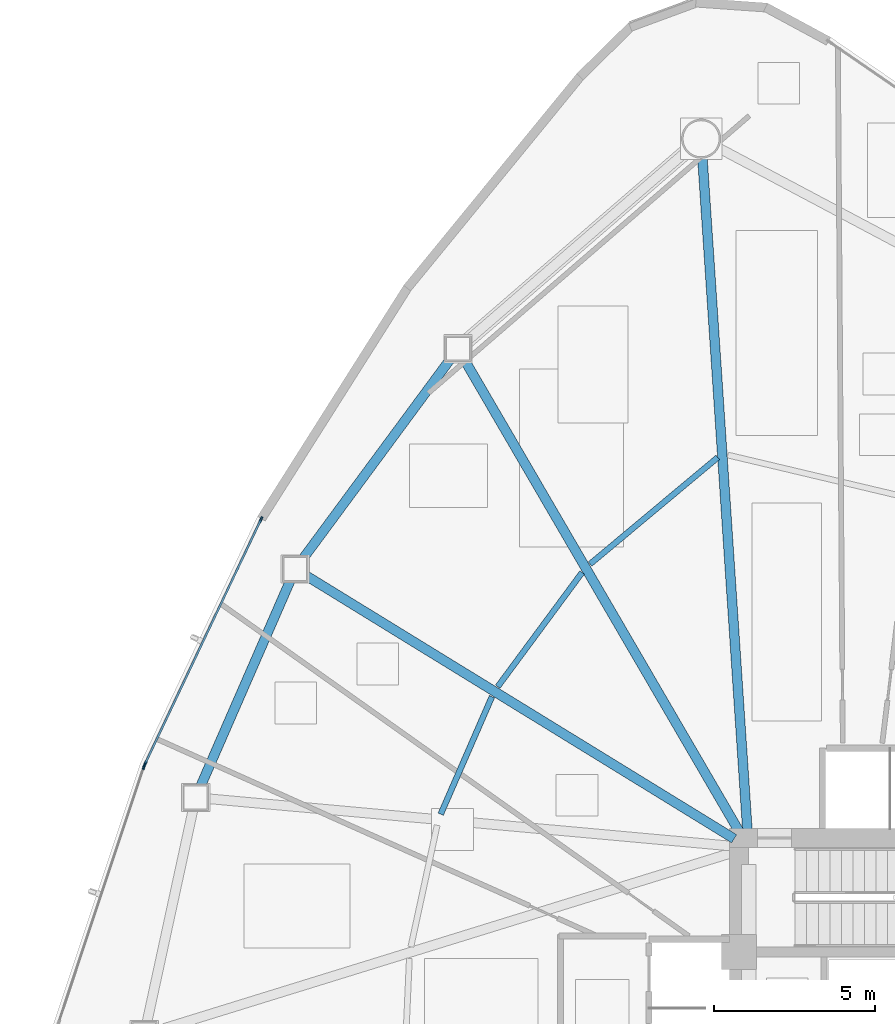
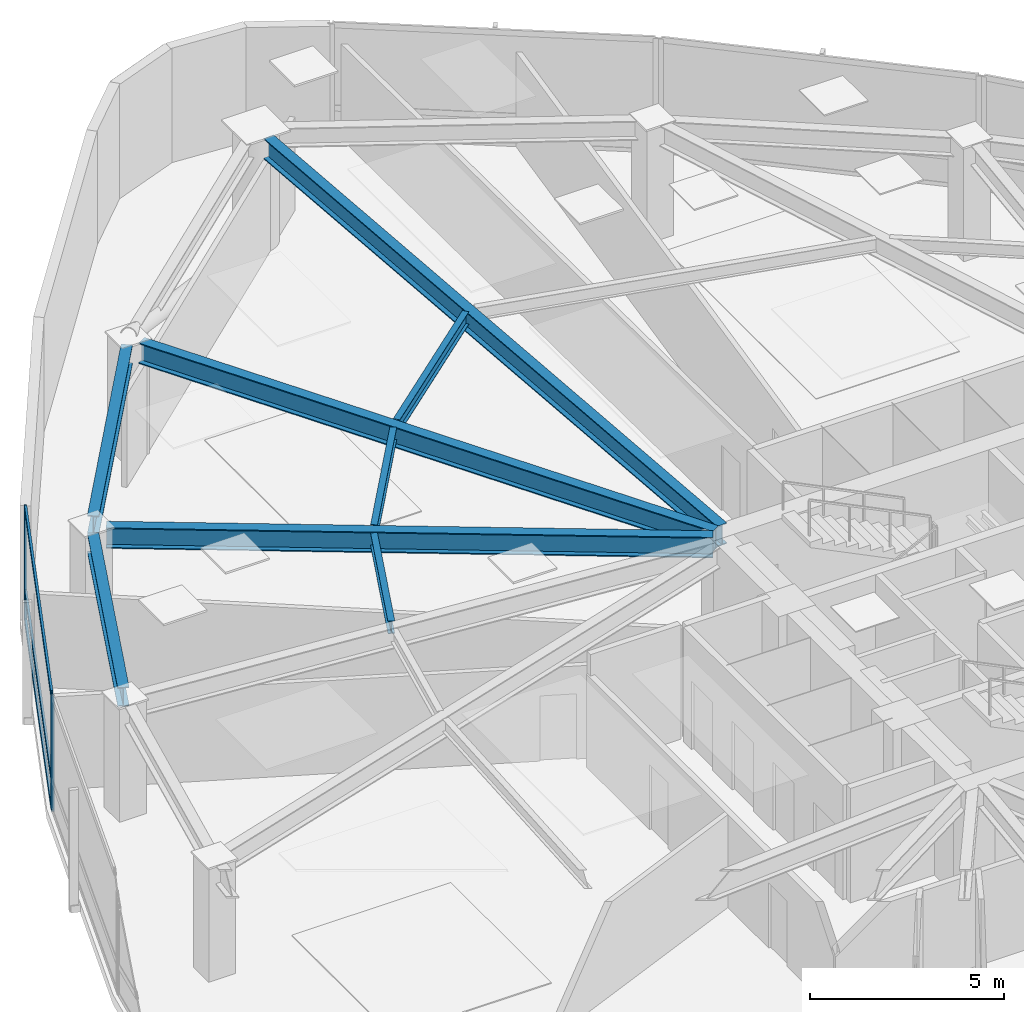
# One storey, part 8 of 18: 8 beams, 6 members, 2 elements without a shape of their own.
"""IFC4 building model written with IfcOpenShell, lengths in metres."""

from ifc_helpers import new_model, si_unit, direction, frame, origin, origin_2d, place, context, subcontext, project, spatial, hollow_rectangle, i_section, extrude, source, transform, mapped, material, layer, layer_set, material_profile, profile_set, type_object, type_shapes, element, aggregate, save


model = new_model("IFC4")

# Units and contexts
model_context = context("Model", 3, precision=1e-05, world=origin(), true_north=direction((0.0, 1.0)))
body_context = subcontext(model_context, "Body", "Model", "MODEL_VIEW")
ifc_project = project(units=[si_unit("LENGTHUNIT", "METRE"), si_unit("AREAUNIT", "SQUARE_METRE"), si_unit("VOLUMEUNIT", "CUBIC_METRE"), si_unit("PLANEANGLEUNIT", "RADIAN"), si_unit("MASSUNIT", "GRAM", prefix="KILO")], contexts=[model_context])

# Site, building, storey
site_placement = place(None, origin())
site = spatial("IfcSite", under=ifc_project, at=site_placement, CompositionType="ELEMENT")
building_placement = place(site_placement, origin())
building = spatial("IfcBuilding", under=site, at=building_placement, Name="Tavelor Broadcast Tower", CompositionType="ELEMENT")
storey_placement = place(building_placement, frame((0.0, 0.0, 58.800048828125)))
storey = spatial("IfcBuildingStorey", under=building, at=storey_placement, Name="L13", CompositionType="ELEMENT", Elevation=58.800048828125)

# Beams
ifc_material_1 = material(Name="Steel S355", Category="steel")
ifc_material_profile_1 = material_profile(ifc_material_1, i_section(OverallWidth=0.179931640625, OverallDepth=0.39990234375, WebThickness=0.008544921875, FlangeThickness=0.013427734375, at=origin_2d()), Name="IPE 400")
ifc_profile_set_1 = profile_set([ifc_material_profile_1], Name="Steel S355")
beam_type_1 = type_object("IfcBeamType", Name="Composite Floor Joist T1 IPE 400", PredefinedType="JOIST", material=ifc_profile_set_1)
beam_1_placement = place(storey_placement, frame((42.4404296875, 63.345947265625, 3.39990234375), z_axis=(-0.767560074089, -0.640977014146, 0.0), x_axis=(0.640977014146, -0.767560074089, 0.0)))
element("IfcBeam", 1, at=beam_1_placement, inside=storey, type_object=beam_type_1, Name="L13 Secondary Composite Floor Joist 01", PredefinedType="JOIST", context=body_context, shape_type="SweptSolid", body=[
    extrude(i_section(OverallWidth=0.179931640625, OverallDepth=0.39990234375, WebThickness=0.008544921875, FlangeThickness=0.013427734375, at=origin_2d()), origin(), (0.0, 0.0, 1.0), 5.178466796875),
])
beam_2_placement = place(storey_placement, frame((38.218994140625, 59.764892578125, 3.39990234375), z_axis=(-0.594310286319, -0.804235838281, 0.0), x_axis=(0.804235838281, -0.594310286319, 0.0)))
element("IfcBeam", 2, at=beam_2_placement, inside=storey, type_object=beam_type_1, Name="L13 Secondary Composite Floor Joist 02", PredefinedType="JOIST", context=body_context, shape_type="SweptSolid", body=[
    extrude(i_section(OverallWidth=0.179931640625, OverallDepth=0.39990234375, WebThickness=0.008544921875, FlangeThickness=0.013427734375, at=origin_2d()), origin(), (0.0, 0.0, 1.0), 4.41943359375),
])
beam_3_placement = place(storey_placement, frame((35.41259765625, 55.899169921875, 3.39990234375), z_axis=(-0.399676346619, -0.916656324886, 0.0), x_axis=(0.916656324886, -0.399676346619, 0.0)))
element("IfcBeam", 3, at=beam_3_placement, inside=storey, type_object=beam_type_1, Name="L13 Secondary Composite Floor Joist 03", PredefinedType="JOIST", context=body_context, shape_type="SweptSolid", body=[
    extrude(i_section(OverallWidth=0.179931640625, OverallDepth=0.39990234375, WebThickness=0.008544921875, FlangeThickness=0.013427734375, at=origin_2d()), origin(), (0.0, 0.0, 1.0), 3.991943359375),
])
ifc_material_profile_2 = material_profile(ifc_material_1, i_section(OverallWidth=0.300048828125, OverallDepth=0.60009765625, WebThickness=0.015380859375, FlangeThickness=0.030029296875, at=origin_2d()), Name="HEB 600")
ifc_profile_set_2 = profile_set([ifc_material_profile_2], Name="Steel S355")
beam_type_2 = type_object("IfcBeamType", Name="Perimeter Spandrel Beam T1 HEB 600", PredefinedType="SPANDREL", material=ifc_profile_set_2)
beam_4_placement = place(storey_placement, frame((34.1279296875, 66.4189453125, 3.300048828125), z_axis=(-0.59410601814, -0.804386747286, 0.0), x_axis=(0.804386747286, -0.59410601814, 0.0)))
element("IfcBeam", 4, at=beam_4_placement, inside=storey, type_object=beam_type_2, Name="L13 Framed-Tube Ring Spandrel 02", PredefinedType="SPANDREL", context=body_context, shape_type="SweptSolid", body=[
    extrude(i_section(OverallWidth=0.300048828125, OverallDepth=0.60009765625, WebThickness=0.015380859375, FlangeThickness=0.030029296875, at=origin_2d()), origin(), (0.0, 0.0, 1.0), 7.755615234375),
])
beam_5_placement = place(storey_placement, frame((29.138671875, 59.51953125, 3.300048828125), z_axis=(-0.399831402863, -0.916588702355, 0.0), x_axis=(0.916588702355, -0.399831402863, 0.0)))
element("IfcBeam", 5, at=beam_5_placement, inside=storey, type_object=beam_type_2, Name="L13 Framed-Tube Ring Spandrel 03", PredefinedType="SPANDREL", context=body_context, shape_type="SweptSolid", body=[
    extrude(i_section(OverallWidth=0.300048828125, OverallDepth=0.60009765625, WebThickness=0.015380859375, FlangeThickness=0.030029296875, at=origin_2d()), origin(), (0.0, 0.0, 1.0), 6.99267578125),
])
ifc_material_profile_3 = material_profile(ifc_material_1, i_section(OverallWidth=0.300048828125, OverallDepth=0.64990234375, WebThickness=0.01611328125, FlangeThickness=0.031005859375, at=origin_2d()), Name="HEB 650")
ifc_profile_set_3 = profile_set([ifc_material_profile_3], Name="Steel S355")
beam_type_3 = type_object("IfcBeamType", Name="Radial Floor Girder T1 HEB 650", PredefinedType="BEAM", material=ifc_profile_set_3)
beam_6_placement = place(storey_placement, frame((43.36474609375, 51.726806640625, 3.27490234375), z_axis=(-0.066781325407, 0.997767635563, 0.0), x_axis=(-0.997767635563, -0.066781325407, 0.0)))
element("IfcBeam", 6, at=beam_6_placement, inside=storey, type_object=beam_type_3, Name="L13 Radial Primary Floor Girder 01", PredefinedType="BEAM", context=body_context, shape_type="SweptSolid", body=[
    extrude(i_section(OverallWidth=0.300048828125, OverallDepth=0.64990234375, WebThickness=0.01611328125, FlangeThickness=0.031005859375, at=origin_2d()), origin(), (0.0, 0.0, 1.0), 21.002685546875),
])
beam_7_placement = place(storey_placement, frame((43.13427734375, 51.65625, 3.27490234375), z_axis=(-0.503292471027, 0.864116131436, 0.0), x_axis=(-0.864116131436, -0.503292471027, 0.0)))
element("IfcBeam", 7, at=beam_7_placement, inside=storey, type_object=beam_type_3, Name="L13 Radial Primary Floor Girder 02", PredefinedType="BEAM", context=body_context, shape_type="SweptSolid", body=[
    extrude(i_section(OverallWidth=0.300048828125, OverallDepth=0.64990234375, WebThickness=0.01611328125, FlangeThickness=0.031005859375, at=origin_2d()), origin(), (0.0, 0.0, 1.0), 17.0576171875),
])
beam_8_placement = place(storey_placement, frame((42.9501953125, 51.4765625, 3.27490234375), z_axis=(-0.851935691671, 0.523646423894, 0.0), x_axis=(-0.523646423894, -0.851935691671, 0.0)))
element("IfcBeam", 8, at=beam_8_placement, inside=storey, type_object=beam_type_3, Name="L13 Radial Primary Floor Girder 03", PredefinedType="BEAM", context=body_context, shape_type="SweptSolid", body=[
    extrude(i_section(OverallWidth=0.300048828125, OverallDepth=0.64990234375, WebThickness=0.01611328125, FlangeThickness=0.031005859375, at=origin_2d()), origin(), (0.0, 0.0, 1.0), 15.647705078125),
])

# Curtain wall, members
ifc_material_2 = material(Name="Architectural Anodized Aluminium", Category="aluminium")
ifc_layer = layer(ifc_material_2, 0.179931640625)
ifc_layer_set = layer_set([ifc_layer], Name="Architectural Anodized Aluminium")
curtain_wall_type = type_object("IfcCurtainWallType", Name="Tower Low-Zone Unitised Curtain Wall CW02", PredefinedType="NOTDEFINED", material=ifc_layer_set)
curtain_wall_1_placement = place(storey_placement, origin())
curtain_wall_1 = element("IfcCurtainWall", 9, at=curtain_wall_1_placement, inside=storey, type_object=curtain_wall_type, Name="L13 Curtain Wall CW02 Run 109", PredefinedType="NOTDEFINED")
ifc_material_profile_4 = material_profile(ifc_material_2, hollow_rectangle(XDim=0.06494140625, YDim=0.179931640625, WallThickness=0.02197265625, at=origin_2d()), Name="RHS 65x180x22")
ifc_profile_set_4 = profile_set([ifc_material_profile_4], Name="Architectural Anodized Aluminium")
member_type_1 = type_object("IfcMemberType", Name="CW02 Extruded Aluminium Mullion 65x180", PredefinedType="MULLION", material=ifc_profile_set_4)
shared_shape_1 = source(origin(), body_context, "Body", "SweptSolid", [
    extrude(hollow_rectangle(XDim=0.06494140625, YDim=0.179931640625, WallThickness=0.02197265625, at=origin_2d()), origin(), (0.0, 0.0, 1.0), 3.599853515625),
])
type_shapes(member_type_1, [shared_shape_1])
member_1_placement = place(storey_placement, frame((28.223388671875, 61.41552734375, 0.0), z_axis=(0.0, 0.0, 1.0), x_axis=(0.903524133484, -0.428537209834, 0.0)))
member_1 = element("IfcMember", 10, at=member_1_placement, type_object=member_type_1, Name="CW02 mullion 1", PredefinedType="MULLION", context=body_context, shape_type="MappedRepresentation", body=[
    mapped(shared_shape_1, transform((0.0, 0.0, 0.0), scale=1.0)),
])
member_2_placement = place(storey_placement, frame((24.615478515625, 53.808349609375, 0.0), z_axis=(0.0, 0.0, 1.0), x_axis=(0.903524133484, -0.428537209834, 0.0)))
member_2 = element("IfcMember", 11, at=member_2_placement, type_object=member_type_1, Name="CW02 mullion 2", PredefinedType="MULLION", context=body_context, shape_type="MappedRepresentation", body=[
    mapped(shared_shape_1, transform((0.0, 0.0, 0.0), scale=1.0)),
])

# Curtain wall, member
curtain_wall_2_placement = place(storey_placement, origin())
curtain_wall_2 = element("IfcCurtainWall", 12, at=curtain_wall_2_placement, inside=storey, type_object=curtain_wall_type, Name="L13 Curtain Wall CW02 Run 110", PredefinedType="NOTDEFINED")
member_3_placement = place(storey_placement, frame((24.580078125, 53.720458984375, 0.0), z_axis=(0.0, 0.0, 1.0), x_axis=(0.948743496046, -0.3160471147, 0.0)))
member_3 = element("IfcMember", 13, at=member_3_placement, type_object=member_type_1, Name="CW02 mullion 1", PredefinedType="MULLION", context=body_context, shape_type="MappedRepresentation", body=[
    mapped(shared_shape_1, transform((0.0, 0.0, 0.0), scale=1.0)),
])
aggregate(curtain_wall_2, [member_3])

# Member
ifc_material_profile_5 = material_profile(ifc_material_2, hollow_rectangle(XDim=0.06494140625, YDim=0.179931640625, WallThickness=0.02197265625, at=origin_2d()), Name="RHS 65x180x22")
ifc_profile_set_5 = profile_set([ifc_material_profile_5], Name="Architectural Anodized Aluminium")
member_type_2 = type_object("IfcMemberType", Name="CW02 Extruded Aluminium Transom 65x180", PredefinedType="USERDEFINED", material=ifc_profile_set_5)
shared_shape_2 = source(origin(), body_context, "Body", "SweptSolid", [
    extrude(hollow_rectangle(XDim=0.06494140625, YDim=0.179931640625, WallThickness=0.02197265625, at=origin_2d()), origin(), (0.0, 0.0, 1.0), 8.354248046875),
])
type_shapes(member_type_2, [shared_shape_2])
member_4_placement = place(storey_placement, frame((28.20947265625, 61.38623046875, 0.032470703125), z_axis=(-0.428530990094, -0.903527083451, 0.0), x_axis=(0.903527083451, -0.428530990094, 0.0)))
member_4 = element("IfcMember", 14, at=member_4_placement, type_object=member_type_2, Name="CW02 transom 1.1", ObjectType="TRANSOM", PredefinedType="USERDEFINED", context=body_context, shape_type="MappedRepresentation", body=[
    mapped(shared_shape_2, transform((0.0, 0.0, 0.0), scale=1.0)),
])

member_5_placement = place(storey_placement, frame((28.20947265625, 61.38623046875, 0.949951171875), z_axis=(-0.428530990094, -0.903527083451, 0.0), x_axis=(0.903527083451, -0.428530990094, 0.0)))
member_5 = element("IfcMember", 15, at=member_5_placement, type_object=member_type_2, Name="CW02 transom 1.2", ObjectType="TRANSOM", PredefinedType="USERDEFINED", context=body_context, shape_type="MappedRepresentation", body=[
    mapped(shared_shape_2, transform((0.0, 0.0, 0.0), scale=1.0)),
])

member_6_placement = place(storey_placement, frame((28.20947265625, 61.38623046875, 3.5673828125), z_axis=(-0.428530990094, -0.903527083451, 0.0), x_axis=(0.903527083451, -0.428530990094, 0.0)))
member_6 = element("IfcMember", 16, at=member_6_placement, type_object=member_type_2, Name="CW02 transom 1.3", ObjectType="TRANSOM", PredefinedType="USERDEFINED", context=body_context, shape_type="MappedRepresentation", body=[
    mapped(shared_shape_2, transform((0.0, 0.0, 0.0), scale=1.0)),
])

aggregate(curtain_wall_1, [member_1, member_2, member_4, member_5, member_6])

save(model, "model.ifc")
